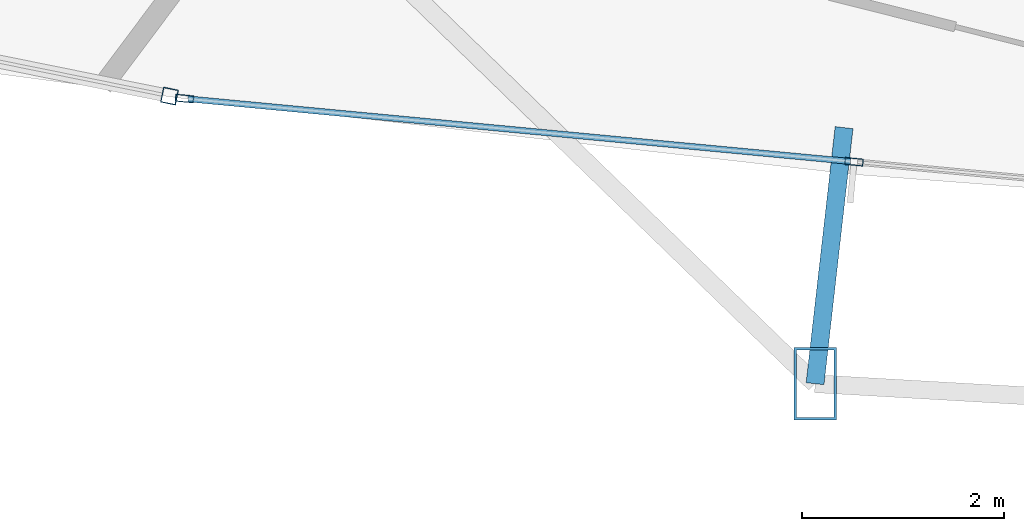
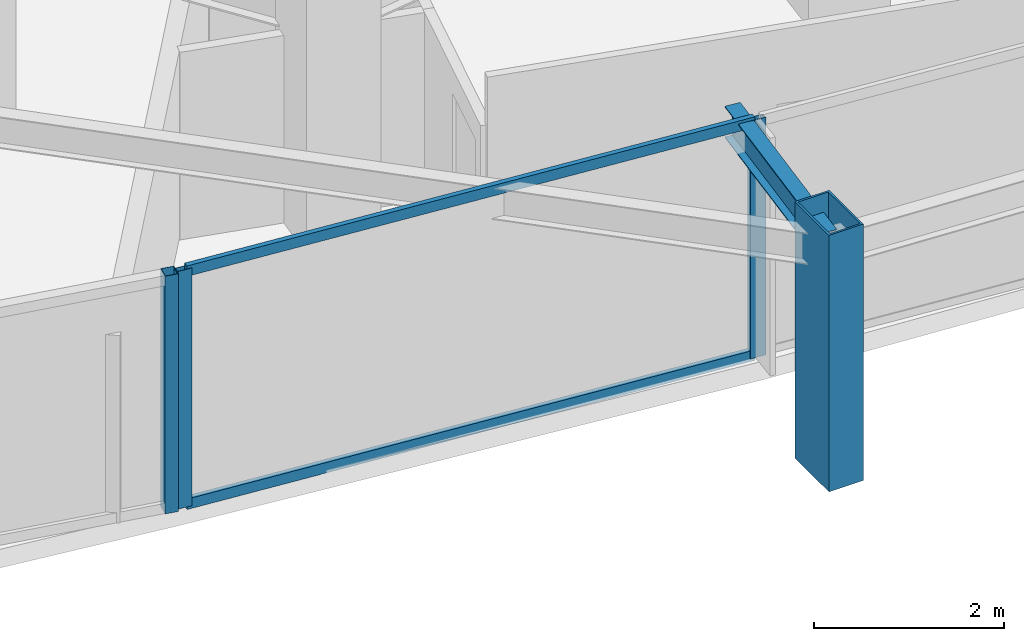
# One storey, part 4 of 35: 6 members, 1 beam, 2 elements without a shape of their own.
"""IFC4 building model written with IfcOpenShell, lengths in metres."""

from ifc_helpers import new_model, si_unit, direction, frame, origin, origin_2d, place, context, subcontext, project, spatial, hollow_rectangle, i_section, extrude, material, layer, layer_set, material_profile, profile_set, type_object, element, aggregate, save


model = new_model("IFC4")

# Units and contexts
model_context = context("Model", 3, precision=1e-05, world=origin(), true_north=direction((0.0, 1.0)))
body_context = subcontext(model_context, "Body", "Model", "MODEL_VIEW")
ifc_project = project(units=[si_unit("LENGTHUNIT", "METRE"), si_unit("AREAUNIT", "SQUARE_METRE"), si_unit("VOLUMEUNIT", "CUBIC_METRE"), si_unit("PLANEANGLEUNIT", "RADIAN"), si_unit("MASSUNIT", "GRAM", prefix="KILO")], contexts=[model_context])

# Site, building, storey
site_placement = place(None, origin())
site = spatial("IfcSite", under=ifc_project, at=site_placement, CompositionType="ELEMENT")
building_placement = place(site_placement, origin())
building = spatial("IfcBuilding", under=site, at=building_placement, Name="Orvanel Arch Residences", CompositionType="ELEMENT")
storey_placement = place(building_placement, frame((0.0, 0.0, 33.5)))
storey = spatial("IfcBuildingStorey", under=building, at=storey_placement, Name="L08", CompositionType="ELEMENT", Elevation=33.5)

# Member
ifc_material_1 = material(Name="Structural steel AS/NZS 3678 Grade 350", Category="steel")
ifc_material_profile_1 = material_profile(ifc_material_1, hollow_rectangle(XDim=0.419921875, YDim=0.719970703125, WallThickness=0.02490234375, at=origin_2d()), Name="RHS720x420x25")
ifc_profile_set_1 = profile_set([ifc_material_profile_1], Name="Structural steel AS/NZS 3678 Grade 350")
member_type_1 = type_object("IfcMemberType", Name="CH-720RHS-EXT", PredefinedType="CHORD", material=ifc_profile_set_1)
member_1_placement = place(storey_placement, frame((19.259033203125, -0.2080078125, 0.0), z_axis=(0.0, 0.0, 1.0), x_axis=(1.0, 0.0, 0.0)))
element("IfcMember", 1, at=member_1_placement, inside=storey, type_object=member_type_1, Name="L08 Outer Perimeter Frame Post 05", PredefinedType="CHORD", context=body_context, shape_type="SweptSolid", body=[
    extrude(hollow_rectangle(XDim=0.419921875, YDim=0.719970703125, WallThickness=0.02490234375, at=origin_2d()), origin(), (0.0, 0.0, 1.0), 3.300048828125),
])

# Curtain wall, member
ifc_material_2 = material(Name="Bronze-anodised aluminium AA6063-T6", Category="aluminium")
ifc_layer_1 = layer(ifc_material_2, 0.18994140625)
ifc_layer_set_1 = layer_set([ifc_layer_1], Name="Bronze-anodised aluminium AA6063-T6")
curtain_wall_type_1 = type_object("IfcCurtainWallType", Name="CW5-CRN-SYS", PredefinedType="NOTDEFINED", material=ifc_layer_set_1)
curtain_wall_1_placement = place(storey_placement, origin())
curtain_wall_1 = element("IfcCurtainWall", 2, at=curtain_wall_1_placement, inside=storey, type_object=curtain_wall_type_1, Name="L08 CW5-CRN-SYS Unitised Curtain Wall", PredefinedType="NOTDEFINED")
ifc_material_profile_2 = material_profile(ifc_material_2, hollow_rectangle(XDim=0.14990234375, YDim=0.14990234375, WallThickness=0.0048828125, at=origin_2d()), Name="ALU150x150x5")
ifc_profile_set_2 = profile_set([ifc_material_profile_2], Name="Bronze-anodised aluminium AA6063-T6")
member_type_2 = type_object("IfcMemberType", Name="MUL-150x150", PredefinedType="MULLION", material=ifc_profile_set_2)
member_2_placement = place(storey_placement, frame((12.87353515625, 2.636962890625, 0.0), z_axis=(0.0, 0.0, 1.0), x_axis=(0.198159258538, 0.980169836434, 0.0)))
member_2 = element("IfcMember", 3, at=member_2_placement, type_object=member_type_2, Name="CW-S5 mullion 3", PredefinedType="MULLION", context=body_context, shape_type="SweptSolid", body=[
    extrude(hollow_rectangle(XDim=0.14990234375, YDim=0.14990234375, WallThickness=0.0048828125, at=origin_2d()), origin(), (0.0, 0.0, 1.0), 3.06005859375),
])
aggregate(curtain_wall_1, [member_2])

# Curtain wall, members
ifc_layer_2 = layer(ifc_material_2, 0.179931640625)
ifc_layer_set_2 = layer_set([ifc_layer_2], Name="Bronze-anodised aluminium AA6063-T6")
curtain_wall_type_2 = type_object("IfcCurtainWallType", Name="CW2-LOW-SYS", PredefinedType="NOTDEFINED", material=ifc_layer_set_2)
curtain_wall_2_placement = place(storey_placement, origin())
curtain_wall_2 = element("IfcCurtainWall", 4, at=curtain_wall_2_placement, inside=storey, type_object=curtain_wall_type_2, Name="L08 CW2-LOW-SYS Unitised Curtain Wall", PredefinedType="NOTDEFINED")
ifc_material_profile_3 = material_profile(ifc_material_2, hollow_rectangle(XDim=0.070068359375, YDim=0.179931640625, WallThickness=0.00439453125, at=origin_2d()), Name="ALU180x70x4.5")
ifc_profile_set_3 = profile_set([ifc_material_profile_3], Name="Bronze-anodised aluminium AA6063-T6")
member_type_3 = type_object("IfcMemberType", Name="MUL-180x70", PredefinedType="MULLION", material=ifc_profile_set_3)
member_3_placement = place(storey_placement, frame((13.021728515625, 2.61279296875, 0.0), z_axis=(0.0, 0.0, 1.0), x_axis=(0.094061026895, 0.995566433353, 0.0)))
member_3 = element("IfcMember", 5, at=member_3_placement, type_object=member_type_3, Name="CW-S2 mullion 1", PredefinedType="MULLION", context=body_context, shape_type="SweptSolid", body=[
    extrude(hollow_rectangle(XDim=0.070068359375, YDim=0.179931640625, WallThickness=0.00439453125, at=origin_2d()), origin(), (0.0, 0.0, 1.0), 3.06005859375),
])
member_4_placement = place(storey_placement, frame((19.64453125, 1.987060546875, 0.0), z_axis=(0.0, 0.0, 1.0), x_axis=(0.094061026895, 0.995566433353, 0.0)))
member_4 = element("IfcMember", 6, at=member_4_placement, type_object=member_type_3, Name="CW-S2 mullion 2", PredefinedType="MULLION", context=body_context, shape_type="SweptSolid", body=[
    extrude(hollow_rectangle(XDim=0.070068359375, YDim=0.179931640625, WallThickness=0.00439453125, at=origin_2d()), origin(), (0.0, 0.0, 1.0), 3.06005859375),
])

# Beam
ifc_material_3 = material(Name="Structural steel AS/NZS 3679.1 Grade 300 (300 MPa)", Category="steel")
ifc_material_profile_4 = material_profile(ifc_material_3, i_section(OverallWidth=0.177978515625, OverallDepth=0.406005859375, WebThickness=0.0078125, FlangeThickness=0.0126953125, at=origin_2d()), Name="410UB59.7")
ifc_profile_set_4 = profile_set([ifc_material_profile_4], Name="Structural steel AS/NZS 3679.1 Grade 300 (300 MPa)")
beam_type = type_object("IfcBeamType", Name="OB-410UB-EXT", PredefinedType="SPANDREL", material=ifc_profile_set_4)
beam_placement = place(storey_placement, frame((19.5458984375, 2.324951171875, 2.85693359375), z_axis=(-0.112533619601, -0.993647917755, 0.0), x_axis=(0.993647917755, -0.112533619601, 0.0)))
element("IfcBeam", 7, at=beam_placement, inside=storey, type_object=beam_type, Name="L08 Outer Frame Radial Tie Beam 05", PredefinedType="SPANDREL", context=body_context, shape_type="SweptSolid", body=[
    extrude(i_section(OverallWidth=0.177978515625, OverallDepth=0.406005859375, WebThickness=0.0078125, FlangeThickness=0.0126953125, at=origin_2d()), origin(), (0.0, 0.0, 1.0), 2.549072265625),
])

# Member
ifc_material_profile_5 = material_profile(ifc_material_2, hollow_rectangle(XDim=0.06005859375, YDim=0.135009765625, WallThickness=0.00390625, at=origin_2d()), Name="ALU135x60x4")
ifc_profile_set_5 = profile_set([ifc_material_profile_5], Name="Bronze-anodised aluminium AA6063-T6")
member_type_4 = type_object("IfcMemberType", Name="TRN-135x60", PredefinedType="USERDEFINED", material=ifc_profile_set_5)
member_5_placement = place(storey_placement, frame((13.056640625, 2.609375, 0.030029296875), z_axis=(0.995566208487, -0.094063406904, 0.0), x_axis=(0.094063406904, 0.995566208487, 0.0)))
member_5 = element("IfcMember", 8, at=member_5_placement, type_object=member_type_4, Name="CW-S2 transom 1.1", ObjectType="TRANSOM", PredefinedType="USERDEFINED", context=body_context, shape_type="SweptSolid", body=[
    extrude(hollow_rectangle(XDim=0.06005859375, YDim=0.135009765625, WallThickness=0.00390625, at=origin_2d()), origin(), (0.0, 0.0, 1.0), 6.582275390625),
])

member_6_placement = place(storey_placement, frame((13.056640625, 2.609375, 3.030029296875), z_axis=(0.995566208487, -0.094063406904, 0.0), x_axis=(0.094063406904, 0.995566208487, 0.0)))
member_6 = element("IfcMember", 9, at=member_6_placement, type_object=member_type_4, Name="CW-S2 transom 1.2", ObjectType="TRANSOM", PredefinedType="USERDEFINED", context=body_context, shape_type="SweptSolid", body=[
    extrude(hollow_rectangle(XDim=0.06005859375, YDim=0.135009765625, WallThickness=0.00390625, at=origin_2d()), origin(), (0.0, 0.0, 1.0), 6.582275390625),
])

aggregate(curtain_wall_2, [member_3, member_4, member_5, member_6])

save(model, "model.ifc")
